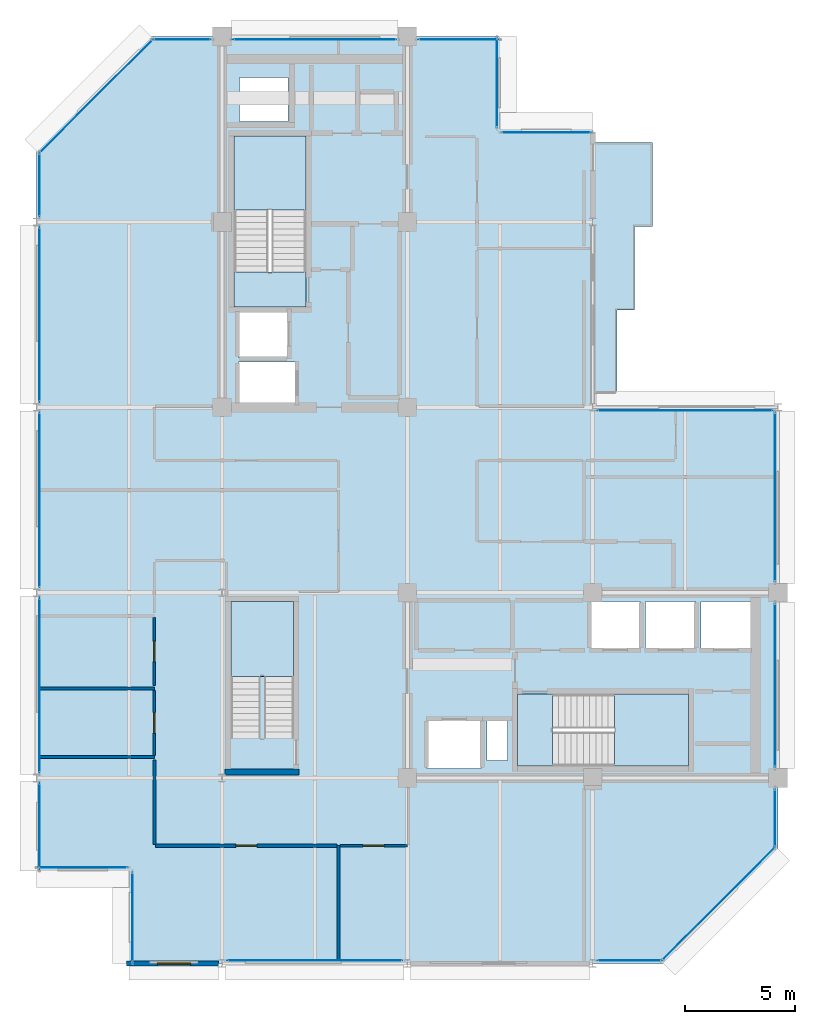
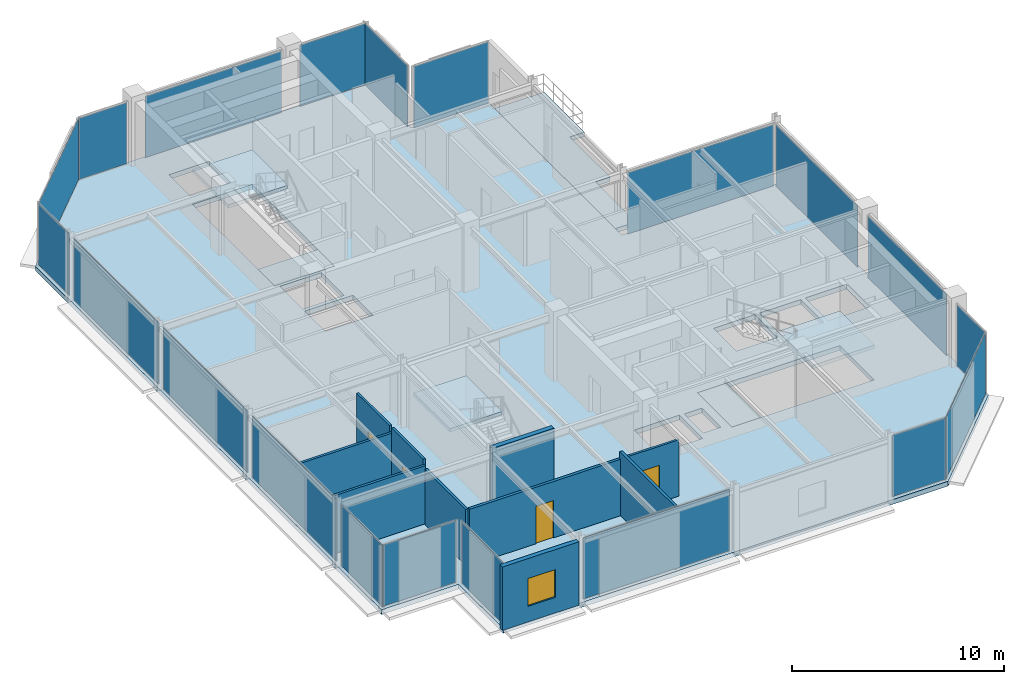
# One storey, part 19 of 25: 20 plates, 10 walls, 7 slabs, 4 doors, 1 window, 5 openings, 23 elements without a shape of their own.
"""IFC4 building model written with IfcOpenShell, lengths in metres."""

from ifc_helpers import new_model, si_unit, direction, frame, frame_2d, origin, origin_2d, place, context, subcontext, project, spatial, polyline, rectangle, outline, extrude, material, layer, layer_set, type_object, element, fill, aggregate, save


model = new_model("IFC4")

# Units and contexts
model_context = context("Model", 3, precision=1e-05, world=origin(), true_north=direction((0.0, 1.0)))
body_context = subcontext(model_context, "Body", "Model", "MODEL_VIEW")
ifc_project = project(units=[si_unit("LENGTHUNIT", "METRE"), si_unit("AREAUNIT", "SQUARE_METRE"), si_unit("VOLUMEUNIT", "CUBIC_METRE"), si_unit("PLANEANGLEUNIT", "RADIAN"), si_unit("MASSUNIT", "GRAM", prefix="KILO")], contexts=[model_context])

# Site, building, storey
site_placement = place(None, origin())
site = spatial("IfcSite", under=ifc_project, at=site_placement, CompositionType="ELEMENT")
building_placement = place(site_placement, origin())
building = spatial("IfcBuilding", under=site, at=building_placement, Name="Nerrivon Quay Data Exchange", CompositionType="ELEMENT")
storey_placement = place(building_placement, frame((0.0, 0.0, 318.199951171875)))
storey = spatial("IfcBuildingStorey", under=building, at=storey_placement, Name="L76", CompositionType="ELEMENT", Elevation=318.199951171875)

# Curtain wall, plate
ifc_material_1 = material(Name="Anodised aluminium 6063-T6", Category="aluminium")
ifc_layer_1 = layer(ifc_material_1, 0.195068359375)
ifc_layer_set_1 = layer_set([ifc_layer_1], Name="Anodised aluminium 6063-T6")
curtain_wall_type = type_object("IfcCurtainWallType", Name="CW-SYS-06", PredefinedType="NOTDEFINED", material=ifc_layer_set_1)
curtain_wall_1_placement = place(storey_placement, origin())
curtain_wall_1 = element("IfcCurtainWall", 1, at=curtain_wall_1_placement, inside=storey, type_object=curtain_wall_type, Name="L76 Unitised Curtain Wall 1", PredefinedType="NOTDEFINED")
ifc_material_2 = material(Name="Double-glazed low-E solar control glass", Category="glass")
ifc_layer_2 = layer(ifc_material_2, 0.028076171875)
ifc_layer_set_2 = layer_set([ifc_layer_2], Name="Double-glazed low-E solar control glass")
plate_type = type_object("IfcPlateType", Name="CWP-GLZ-28", PredefinedType="CURTAIN_PANEL", material=ifc_layer_set_2)
plate_1_placement = place(storey_placement, frame((30.90087890625, 2.698974609375, 0.06494140625), z_axis=(0.0, 0.0, 1.0), x_axis=(-0.707106781187, -0.707106781187, 0.0)))
plate_1 = element("IfcPlate", 2, at=plate_1_placement, type_object=plate_type, Name="CW06 panel 1.1", PredefinedType="CURTAIN_PANEL", context=body_context, shape_type="SweptSolid", body=[
    extrude(rectangle(XDim=7.203857421875, YDim=0.028076171875, at=origin_2d()), origin(), (0.0, 0.0, 1.0), 3.52001953125),
])
aggregate(curtain_wall_1, [plate_1])

curtain_wall_2_placement = place(storey_placement, origin())
curtain_wall_2 = element("IfcCurtainWall", 3, at=curtain_wall_2_placement, inside=storey, type_object=curtain_wall_type, Name="L76 Unitised Curtain Wall 2", PredefinedType="NOTDEFINED")
plate_2_placement = place(storey_placement, frame((26.877685546875, 0.139892578125, 0.06494140625), z_axis=(0.0, 0.0, 1.0), x_axis=(-1.0, 0.0, 0.0)))
plate_2 = element("IfcPlate", 4, at=plate_2_placement, type_object=plate_type, Name="CW06 panel 1.1", PredefinedType="CURTAIN_PANEL", context=body_context, shape_type="SweptSolid", body=[
    extrude(rectangle(XDim=2.89453125, YDim=0.028076171875, at=origin_2d()), origin(), (0.0, 0.0, 1.0), 3.52001953125),
])
aggregate(curtain_wall_2, [plate_2])

curtain_wall_3_placement = place(storey_placement, origin())
curtain_wall_3 = element("IfcCurtainWall", 5, at=curtain_wall_3_placement, inside=storey, type_object=curtain_wall_type, Name="L76 Unitised Curtain Wall 4", PredefinedType="NOTDEFINED")
plate_3_placement = place(storey_placement, frame((12.60009765625, 0.139892578125, 0.06494140625), z_axis=(0.0, 0.0, 1.0), x_axis=(-1.0, 0.0, 0.0)))
plate_3 = element("IfcPlate", 6, at=plate_3_placement, type_object=plate_type, Name="CW06 panel 1.1", PredefinedType="CURTAIN_PANEL", context=body_context, shape_type="SweptSolid", body=[
    extrude(rectangle(XDim=7.93896484375, YDim=0.028076171875, at=origin_2d()), origin(), (0.0, 0.0, 1.0), 3.52001953125),
])
aggregate(curtain_wall_3, [plate_3])

curtain_wall_4_placement = place(storey_placement, origin())
curtain_wall_4 = element("IfcCurtainWall", 7, at=curtain_wall_4_placement, inside=storey, type_object=curtain_wall_type, Name="L76 Unitised Curtain Wall 6", PredefinedType="NOTDEFINED")
plate_4_placement = place(storey_placement, frame((4.340087890625, 2.10009765625, 0.06494140625), z_axis=(0.0, 0.0, 1.0), x_axis=(0.0, 1.0, 0.0)))
plate_4 = element("IfcPlate", 8, at=plate_4_placement, type_object=plate_type, Name="CW06 panel 1.1", PredefinedType="CURTAIN_PANEL", context=body_context, shape_type="SweptSolid", body=[
    extrude(rectangle(XDim=4.050048828125, YDim=0.028076171875, at=origin_2d()), origin(), (0.0, 0.0, 1.0), 3.52001953125),
])
aggregate(curtain_wall_4, [plate_4])

curtain_wall_5_placement = place(storey_placement, origin())
curtain_wall_5 = element("IfcCurtainWall", 9, at=curtain_wall_5_placement, inside=storey, type_object=curtain_wall_type, Name="L76 Unitised Curtain Wall 7", PredefinedType="NOTDEFINED")
plate_5_placement = place(storey_placement, frame((2.10009765625, 4.340087890625, 0.06494140625), z_axis=(0.0, 0.0, 1.0), x_axis=(-1.0, 0.0, 0.0)))
plate_5 = element("IfcPlate", 10, at=plate_5_placement, type_object=plate_type, Name="CW06 panel 1.1", PredefinedType="CURTAIN_PANEL", context=body_context, shape_type="SweptSolid", body=[
    extrude(rectangle(XDim=4.050048828125, YDim=0.028076171875, at=origin_2d()), origin(), (0.0, 0.0, 1.0), 3.52001953125),
])
aggregate(curtain_wall_5, [plate_5])

curtain_wall_6_placement = place(storey_placement, origin())
curtain_wall_6 = element("IfcCurtainWall", 11, at=curtain_wall_6_placement, inside=storey, type_object=curtain_wall_type, Name="L76 Unitised Curtain Wall 8", PredefinedType="NOTDEFINED")
plate_6_placement = place(storey_placement, frame((0.139892578125, 6.21826171875, 0.06494140625), z_axis=(0.0, 0.0, 1.0), x_axis=(0.0, 1.0, 0.0)))
plate_6 = element("IfcPlate", 12, at=plate_6_placement, type_object=plate_type, Name="CW06 panel 1.1", PredefinedType="CURTAIN_PANEL", context=body_context, shape_type="SweptSolid", body=[
    extrude(rectangle(XDim=3.886474609375, YDim=0.028076171875, at=origin_2d()), origin(), (0.0, 0.0, 1.0), 3.52001953125),
])
aggregate(curtain_wall_6, [plate_6])

curtain_wall_7_placement = place(storey_placement, origin())
curtain_wall_7 = element("IfcCurtainWall", 13, at=curtain_wall_7_placement, inside=storey, type_object=curtain_wall_type, Name="L76 Unitised Curtain Wall 9", PredefinedType="NOTDEFINED")
plate_7_placement = place(storey_placement, frame((0.139892578125, 12.60009765625, 0.06494140625), z_axis=(0.0, 0.0, 1.0), x_axis=(0.0, 1.0, 0.0)))
plate_7 = element("IfcPlate", 14, at=plate_7_placement, type_object=plate_type, Name="CW06 panel 1.1", PredefinedType="CURTAIN_PANEL", context=body_context, shape_type="SweptSolid", body=[
    extrude(rectangle(XDim=7.923095703125, YDim=0.028076171875, at=origin_2d()), origin(), (0.0, 0.0, 1.0), 3.52001953125),
])
aggregate(curtain_wall_7, [plate_7])

curtain_wall_8_placement = place(storey_placement, origin())
curtain_wall_8 = element("IfcCurtainWall", 15, at=curtain_wall_8_placement, inside=storey, type_object=curtain_wall_type, Name="L76 Unitised Curtain Wall 10", PredefinedType="NOTDEFINED")
plate_8_placement = place(storey_placement, frame((0.139892578125, 21.0, 0.06494140625), z_axis=(0.0, 0.0, 1.0), x_axis=(0.0, 1.0, 0.0)))
plate_8 = element("IfcPlate", 16, at=plate_8_placement, type_object=plate_type, Name="CW06 panel 1.1", PredefinedType="CURTAIN_PANEL", context=body_context, shape_type="SweptSolid", body=[
    extrude(rectangle(XDim=7.923095703125, YDim=0.028076171875, at=origin_2d()), origin(), (0.0, 0.0, 1.0), 3.52001953125),
])
aggregate(curtain_wall_8, [plate_8])

curtain_wall_9_placement = place(storey_placement, origin())
curtain_wall_9 = element("IfcCurtainWall", 17, at=curtain_wall_9_placement, inside=storey, type_object=curtain_wall_type, Name="L76 Unitised Curtain Wall 11", PredefinedType="NOTDEFINED")
plate_9_placement = place(storey_placement, frame((0.139892578125, 29.39990234375, 0.06494140625), z_axis=(0.0, 0.0, 1.0), x_axis=(0.0, 1.0, 0.0)))
plate_9 = element("IfcPlate", 18, at=plate_9_placement, type_object=plate_type, Name="CW06 panel 1.1", PredefinedType="CURTAIN_PANEL", context=body_context, shape_type="SweptSolid", body=[
    extrude(rectangle(XDim=7.923095703125, YDim=0.028076171875, at=origin_2d()), origin(), (0.0, 0.0, 1.0), 3.52001953125),
])
aggregate(curtain_wall_9, [plate_9])

curtain_wall_10_placement = place(storey_placement, origin())
curtain_wall_10 = element("IfcCurtainWall", 19, at=curtain_wall_10_placement, inside=storey, type_object=curtain_wall_type, Name="L76 Unitised Curtain Wall 12", PredefinedType="NOTDEFINED")
plate_10_placement = place(storey_placement, frame((0.139892578125, 35.28173828125, 0.06494140625), z_axis=(0.0, 0.0, 1.0), x_axis=(0.0, 1.0, 0.0)))
plate_10 = element("IfcPlate", 20, at=plate_10_placement, type_object=plate_type, Name="CW06 panel 1.1", PredefinedType="CURTAIN_PANEL", context=body_context, shape_type="SweptSolid", body=[
    extrude(rectangle(XDim=2.886474609375, YDim=0.028076171875, at=origin_2d()), origin(), (0.0, 0.0, 1.0), 3.52001953125),
])
aggregate(curtain_wall_10, [plate_10])

curtain_wall_11_placement = place(storey_placement, origin())
curtain_wall_11 = element("IfcCurtainWall", 21, at=curtain_wall_11_placement, inside=storey, type_object=curtain_wall_type, Name="L76 Unitised Curtain Wall 13", PredefinedType="NOTDEFINED")
plate_11_placement = place(storey_placement, frame((2.698974609375, 39.301025390625, 0.06494140625), z_axis=(0.0, 0.0, 1.0), x_axis=(0.707106781187, 0.707106781187, 0.0)))
plate_11 = element("IfcPlate", 22, at=plate_11_placement, type_object=plate_type, Name="CW06 panel 1.1", PredefinedType="CURTAIN_PANEL", context=body_context, shape_type="SweptSolid", body=[
    extrude(rectangle(XDim=7.203857421875, YDim=0.028076171875, at=origin_2d()), origin(), (0.0, 0.0, 1.0), 3.52001953125),
])
aggregate(curtain_wall_11, [plate_11])

curtain_wall_12_placement = place(storey_placement, origin())
curtain_wall_12 = element("IfcCurtainWall", 23, at=curtain_wall_12_placement, inside=storey, type_object=curtain_wall_type, Name="L76 Unitised Curtain Wall 14", PredefinedType="NOTDEFINED")
plate_12_placement = place(storey_placement, frame((6.58740234375, 41.860107421875, 0.06494140625), z_axis=(0.0, 0.0, 1.0), x_axis=(1.0, 0.0, 0.0)))
plate_12 = element("IfcPlate", 24, at=plate_12_placement, type_object=plate_type, Name="CW06 panel 1.1", PredefinedType="CURTAIN_PANEL", context=body_context, shape_type="SweptSolid", body=[
    extrude(rectangle(XDim=2.625, YDim=0.028076171875, at=origin_2d()), origin(), (0.0, 0.0, 1.0), 3.52001953125),
])
aggregate(curtain_wall_12, [plate_12])

curtain_wall_13_placement = place(storey_placement, origin())
curtain_wall_13 = element("IfcCurtainWall", 25, at=curtain_wall_13_placement, inside=storey, type_object=curtain_wall_type, Name="L76 Unitised Curtain Wall 15", PredefinedType="NOTDEFINED")
plate_13_placement = place(storey_placement, frame((12.60009765625, 41.860107421875, 0.06494140625), z_axis=(0.0, 0.0, 1.0), x_axis=(1.0, 0.0, 0.0)))
plate_13 = element("IfcPlate", 26, at=plate_13_placement, type_object=plate_type, Name="CW06 panel 1.1", PredefinedType="CURTAIN_PANEL", context=body_context, shape_type="SweptSolid", body=[
    extrude(rectangle(XDim=7.39990234375, YDim=0.028076171875, at=origin_2d()), origin(), (0.0, 0.0, 1.0), 3.52001953125),
])
aggregate(curtain_wall_13, [plate_13])

curtain_wall_14_placement = place(storey_placement, origin())
curtain_wall_14 = element("IfcCurtainWall", 27, at=curtain_wall_14_placement, inside=storey, type_object=curtain_wall_type, Name="L76 Unitised Curtain Wall 16", PredefinedType="NOTDEFINED")
plate_14_placement = place(storey_placement, frame((19.112548828125, 41.860107421875, 0.06494140625), z_axis=(0.0, 0.0, 1.0), x_axis=(1.0, 0.0, 0.0)))
plate_14 = element("IfcPlate", 28, at=plate_14_placement, type_object=plate_type, Name="CW06 panel 1.1", PredefinedType="CURTAIN_PANEL", context=body_context, shape_type="SweptSolid", body=[
    extrude(rectangle(XDim=3.625, YDim=0.028076171875, at=origin_2d()), origin(), (0.0, 0.0, 1.0), 3.52001953125),
])
aggregate(curtain_wall_14, [plate_14])

curtain_wall_15_placement = place(storey_placement, origin())
curtain_wall_15 = element("IfcCurtainWall", 29, at=curtain_wall_15_placement, inside=storey, type_object=curtain_wall_type, Name="L76 Unitised Curtain Wall 17", PredefinedType="NOTDEFINED")
plate_15_placement = place(storey_placement, frame((20.860107421875, 39.89990234375, 0.06494140625), z_axis=(0.0, 0.0, 1.0), x_axis=(0.0, -1.0, 0.0)))
plate_15 = element("IfcPlate", 30, at=plate_15_placement, type_object=plate_type, Name="CW06 panel 1.1", PredefinedType="CURTAIN_PANEL", context=body_context, shape_type="SweptSolid", body=[
    extrude(rectangle(XDim=4.050048828125, YDim=0.028076171875, at=origin_2d()), origin(), (0.0, 0.0, 1.0), 3.52001953125),
])
aggregate(curtain_wall_15, [plate_15])

curtain_wall_16_placement = place(storey_placement, origin())
curtain_wall_16 = element("IfcCurtainWall", 31, at=curtain_wall_16_placement, inside=storey, type_object=curtain_wall_type, Name="L76 Unitised Curtain Wall 18", PredefinedType="NOTDEFINED")
plate_16_placement = place(storey_placement, frame((23.10009765625, 37.659912109375, 0.06494140625), z_axis=(0.0, 0.0, 1.0), x_axis=(1.0, 0.0, 0.0)))
plate_16 = element("IfcPlate", 32, at=plate_16_placement, type_object=plate_type, Name="CW06 panel 1.1", PredefinedType="CURTAIN_PANEL", context=body_context, shape_type="SweptSolid", body=[
    extrude(rectangle(XDim=4.050048828125, YDim=0.028076171875, at=origin_2d()), origin(), (0.0, 0.0, 1.0), 3.52001953125),
])
aggregate(curtain_wall_16, [plate_16])

curtain_wall_17_placement = place(storey_placement, origin())
curtain_wall_17 = element("IfcCurtainWall", 33, at=curtain_wall_17_placement, inside=storey, type_object=curtain_wall_type, Name="L76 Unitised Curtain Wall 21", PredefinedType="NOTDEFINED")
plate_17_placement = place(storey_placement, frame((29.39990234375, 25.06005859375, 0.06494140625), z_axis=(0.0, 0.0, 1.0), x_axis=(1.0, 0.0, 0.0)))
plate_17 = element("IfcPlate", 34, at=plate_17_placement, type_object=plate_type, Name="CW06 panel 1.1", PredefinedType="CURTAIN_PANEL", context=body_context, shape_type="SweptSolid", body=[
    extrude(rectangle(XDim=7.93896484375, YDim=0.028076171875, at=origin_2d()), origin(), (0.0, 0.0, 1.0), 3.52001953125),
])
aggregate(curtain_wall_17, [plate_17])

curtain_wall_18_placement = place(storey_placement, origin())
curtain_wall_18 = element("IfcCurtainWall", 35, at=curtain_wall_18_placement, inside=storey, type_object=curtain_wall_type, Name="L76 Unitised Curtain Wall 22", PredefinedType="NOTDEFINED")
plate_18_placement = place(storey_placement, frame((33.4599609375, 21.130859375, 0.06494140625), z_axis=(0.0, 0.0, 1.0), x_axis=(0.0, -1.0, 0.0)))
plate_18 = element("IfcPlate", 36, at=plate_18_placement, type_object=plate_type, Name="CW06 panel 1.1", PredefinedType="CURTAIN_PANEL", context=body_context, shape_type="SweptSolid", body=[
    extrude(rectangle(XDim=7.66162109375, YDim=0.028076171875, at=origin_2d()), origin(), (0.0, 0.0, 1.0), 3.52001953125),
])
aggregate(curtain_wall_18, [plate_18])

curtain_wall_19_placement = place(storey_placement, origin())
curtain_wall_19 = element("IfcCurtainWall", 37, at=curtain_wall_19_placement, inside=storey, type_object=curtain_wall_type, Name="L76 Unitised Curtain Wall 23", PredefinedType="NOTDEFINED")
plate_19_placement = place(storey_placement, frame((33.4599609375, 12.60009765625, 0.06494140625), z_axis=(0.0, 0.0, 1.0), x_axis=(0.0, -1.0, 0.0)))
plate_19 = element("IfcPlate", 38, at=plate_19_placement, type_object=plate_type, Name="CW06 panel 1.1", PredefinedType="CURTAIN_PANEL", context=body_context, shape_type="SweptSolid", body=[
    extrude(rectangle(XDim=7.39990234375, YDim=0.028076171875, at=origin_2d()), origin(), (0.0, 0.0, 1.0), 3.52001953125),
])
aggregate(curtain_wall_19, [plate_19])

curtain_wall_20_placement = place(storey_placement, origin())
curtain_wall_20 = element("IfcCurtainWall", 39, at=curtain_wall_20_placement, inside=storey, type_object=curtain_wall_type, Name="L76 Unitised Curtain Wall 24", PredefinedType="NOTDEFINED")
plate_20_placement = place(storey_placement, frame((33.4599609375, 6.58740234375, 0.06494140625), z_axis=(0.0, 0.0, 1.0), x_axis=(0.0, -1.0, 0.0)))
plate_20 = element("IfcPlate", 40, at=plate_20_placement, type_object=plate_type, Name="CW06 panel 1.1", PredefinedType="CURTAIN_PANEL", context=body_context, shape_type="SweptSolid", body=[
    extrude(rectangle(XDim=2.625, YDim=0.028076171875, at=origin_2d()), origin(), (0.0, 0.0, 1.0), 3.52001953125),
])
aggregate(curtain_wall_20, [plate_20])

# Slab
ifc_material_3 = material(Name="Precast white architectural concrete N50 (50 MPa)", Category="concrete")
ifc_layer_3 = layer(ifc_material_3, 0.25)
ifc_layer_set_3 = layer_set([ifc_layer_3], Name="Precast white architectural concrete N50 (50 MPa)")
slab_type_1 = type_object("IfcSlabType", Name="SLB-BAL-250", PredefinedType="FLOOR", material=ifc_layer_set_3)
slab_1_placement = place(storey_placement, frame((0.0, 0.0, -0.25)))
element("IfcSlab", 41, at=slab_1_placement, inside=storey, type_object=slab_type_1, Name="L76 Waterfront Subtropical Verandah", PredefinedType="FLOOR", context=body_context, shape_type="SweptSolid", body=[
    extrude(outline(polyline([(26.300048828125, 29.60009765625), (27.10009765625, 29.60009765625), (27.10009765625, 33.39990234375), (27.89990234375, 33.39990234375), (27.89990234375, 37.199951171875), (25.199951171875, 37.199951171875), (25.199951171875, 33.39990234375), (25.199951171875, 29.60009765625), (25.199951171875, 25.800048828125), (26.300048828125, 25.800048828125), (26.300048828125, 29.60009765625)])), origin(), (0.0, 0.0, 1.0), 0.25),
])

# Stair, slab
ifc_material_4 = material(Name="Concrete N50 (50 MPa)", Category="concrete")
stair_type = type_object("IfcStairType", Name="STAIR-DOG-40", PredefinedType="HALF_TURN_STAIR", material=ifc_material_4)
stair_1_placement = place(storey_placement, origin())
stair_1 = element("IfcStair", 42, at=stair_1_placement, inside=storey, type_object=stair_type, Name="L76 West Core Fire Stair ST01", PredefinedType="HALF_TURN_STAIR")
ifc_layer_4 = layer(ifc_material_4, 0.199951171875)
ifc_layer_set_4 = layer_set([ifc_layer_4], Name="Concrete N50 (50 MPa)")
slab_type_2 = type_object("IfcSlabType", Name="SLB-LAND-200", PredefinedType="LANDING", material=ifc_layer_set_4)
slab_2_placement = place(storey_placement, frame((0.0, 0.0, 1.800048828125)))
slab_2 = element("IfcSlab", 43, at=slab_2_placement, type_object=slab_type_2, Name="ST01 landing 1", PredefinedType="LANDING", context=body_context, shape_type="SweptSolid", body=[
    extrude(outline(polyline([(12.199951171875, 34.1298828125), (12.199951171875, 37.5), (8.949951171875, 37.5), (8.949951171875, 34.1298828125), (12.199951171875, 34.1298828125)])), origin(), (0.0, 0.0, 1.0), 0.199951171875),
])
aggregate(stair_1, [slab_2])

# Slab
slab_3_placement = place(storey_placement, frame((0.0, 0.0, -0.199951171875)))
element("IfcSlab", 44, at=slab_3_placement, inside=storey, type_object=slab_type_2, Name="L76 ST01 floor landing", PredefinedType="LANDING", context=body_context, shape_type="SweptSolid", body=[
    extrude(outline(polyline([(12.199951171875, 29.75), (12.199951171875, 31.330078125), (8.949951171875, 31.330078125), (8.949951171875, 29.75), (12.199951171875, 29.75)])), origin(), (0.0, 0.0, 1.0), 0.199951171875),
])

# Stair, slab
stair_2_placement = place(storey_placement, origin())
stair_2 = element("IfcStair", 45, at=stair_2_placement, inside=storey, type_object=stair_type, Name="L76 East Core Fire Stair ST02", PredefinedType="HALF_TURN_STAIR")
slab_4_placement = place(storey_placement, frame((0.0, 0.0, 1.800048828125)))
slab_4 = element("IfcSlab", 46, at=slab_4_placement, type_object=slab_type_2, Name="ST02 landing 1", PredefinedType="LANDING", context=body_context, shape_type="SweptSolid", body=[
    extrude(outline(polyline([(26.179931640625, 8.949951171875), (29.550048828125, 8.949951171875), (29.550048828125, 12.199951171875), (26.179931640625, 12.199951171875), (26.179931640625, 8.949951171875)])), origin(), (0.0, 0.0, 1.0), 0.199951171875),
])
aggregate(stair_2, [slab_4])

# Slab
slab_5_placement = place(storey_placement, frame((0.0, 0.0, -0.199951171875)))
element("IfcSlab", 47, at=slab_5_placement, inside=storey, type_object=slab_type_2, Name="L76 ST02 floor landing", PredefinedType="LANDING", context=body_context, shape_type="SweptSolid", body=[
    extrude(outline(polyline([(21.800048828125, 8.949951171875), (23.3798828125, 8.949951171875), (23.3798828125, 12.199951171875), (21.800048828125, 12.199951171875), (21.800048828125, 8.949951171875)])), origin(), (0.0, 0.0, 1.0), 0.199951171875),
])

# Stair, slab
stair_3_placement = place(storey_placement, origin())
stair_3 = element("IfcStair", 48, at=stair_3_placement, inside=storey, type_object=stair_type, Name="L76 Crown Maintenance Stair ST08", PredefinedType="HALF_TURN_STAIR")
slab_6_placement = place(storey_placement, frame((0.0, 0.0, 1.800048828125)))
slab_6 = element("IfcSlab", 49, at=slab_6_placement, type_object=slab_type_2, Name="ST08 landing 1", PredefinedType="LANDING", context=body_context, shape_type="SweptSolid", body=[
    extrude(outline(polyline([(11.64990234375, 13.0), (11.64990234375, 16.39990234375), (8.800048828125, 16.39990234375), (8.800048828125, 13.0), (11.64990234375, 13.0)])), origin(), (0.0, 0.0, 1.0), 0.199951171875),
])
aggregate(stair_3, [slab_6])

# Slab
ifc_layer_5 = layer(ifc_material_4, 0.27490234375)
ifc_layer_set_5 = layer_set([ifc_layer_5], Name="Concrete N50 (50 MPa)")
slab_type_3 = type_object("IfcSlabType", Name="SLB-TOW-275", PredefinedType="FLOOR", material=ifc_layer_set_5)
slab_7_placement = place(storey_placement, frame((0.0, 0.0, -0.27490234375)))
element("IfcSlab", 50, at=slab_7_placement, inside=storey, type_object=slab_type_3, Name="L76 Primary Structural Slab", PredefinedType="FLOOR", context=body_context, shape_type="SweptSolid", body=[
    extrude(outline(polyline([(33.60009765625, 25.199951171875), (25.199951171875, 25.199951171875), (25.199951171875, 37.800048828125), (21.0, 37.800048828125), (21.0, 42.0), (5.199951171875, 42.0), (0.0, 36.800048828125), (0.0, 4.199951171875), (4.199951171875, 4.199951171875), (4.199951171875, 0.0), (28.39990234375, 0.0), (33.60009765625, 5.199951171875), (33.60009765625, 25.199951171875)]), holes=[polyline([(8.949951171875, 29.75), (8.949951171875, 37.5), (12.199951171875, 37.5), (12.199951171875, 29.75), (8.949951171875, 29.75)]), polyline([(21.800048828125, 12.199951171875), (29.550048828125, 12.199951171875), (29.550048828125, 8.949951171875), (21.800048828125, 8.949951171875), (21.800048828125, 12.199951171875)]), polyline([(30.10009765625, 14.25), (30.10009765625, 16.39990234375), (32.35009765625, 16.39990234375), (32.35009765625, 14.25), (30.10009765625, 14.25)]), polyline([(27.60009765625, 14.25), (27.60009765625, 16.39990234375), (29.85009765625, 16.39990234375), (29.85009765625, 14.25), (27.60009765625, 14.25)]), polyline([(25.10009765625, 14.25), (25.10009765625, 16.39990234375), (27.35009765625, 16.39990234375), (27.35009765625, 14.25), (25.10009765625, 14.25)]), polyline([(20.39990234375, 9.199951171875), (20.39990234375, 11.0), (21.35009765625, 11.0), (21.35009765625, 9.199951171875), (20.39990234375, 9.199951171875)]), polyline([(17.699951171875, 8.830078125), (17.699951171875, 11.030029296875), (20.14990234375, 11.030029296875), (20.14990234375, 8.830078125), (17.699951171875, 8.830078125)]), polyline([(9.14990234375, 25.35009765625), (9.14990234375, 27.25), (11.75, 27.25), (11.75, 25.35009765625), (9.14990234375, 25.35009765625)]), polyline([(9.14990234375, 27.449951171875), (9.14990234375, 29.60009765625), (11.39990234375, 29.60009765625), (11.39990234375, 27.449951171875), (9.14990234375, 27.449951171875)]), polyline([(9.199951171875, 38.14990234375), (9.199951171875, 40.14990234375), (11.39990234375, 40.14990234375), (11.39990234375, 38.14990234375), (9.199951171875, 38.14990234375)])]), origin(), (0.0, 0.0, 1.0), 0.27490234375),
])

# Wall, opening, window
ifc_material_5 = material(Name="Architectural terracotta precast concrete N50 (50 MPa)", Category="masonry")
ifc_layer_6 = layer(ifc_material_5, 0.239990234375)
ifc_layer_set_6 = layer_set([ifc_layer_6], Name="Architectural terracotta precast concrete N50 (50 MPa)")
wall_type_1 = type_object("IfcWallType", Name="EW-PREC-240", PredefinedType="STANDARD", material=ifc_layer_set_6)
wall_1_placement = place(storey_placement, frame((8.244384765625, 0.0, 0.0), z_axis=(0.0, 0.0, 1.0), x_axis=(-1.0, 0.0, 0.0)))
wall_1 = element("IfcWall", 51, at=wall_1_placement, inside=storey, type_object=wall_type_1, Name="L76 Podium Precast Spandrel Wall 5", PredefinedType="STANDARD", context=body_context, shape_type="SweptSolid", body=[
    extrude(rectangle(XDim=4.164306640625, YDim=0.239990234375, at=frame_2d((2.08203125, 0.0))), origin(), (0.0, 0.0, 1.0), 3.650146484375),
])
opening_1_placement = place(wall_1_placement, frame((1.267333984375, 0.0, 0.89990234375)))
opening_1 = element("IfcOpeningElement", 52, at=opening_1_placement, cuts=wall_1, Name="Opening WN4", PredefinedType="OPENING", context=body_context, shape_type="SweptSolid", body=[
    extrude(rectangle(XDim=1.5, YDim=1.60009765625, at=frame_2d((0.75, 0.800048828125))), frame((0.0, 0.1298828125, 0.0), z_axis=(0.0, -1.0, 0.0), x_axis=(1.0, 0.0, 0.0)), (0.0, 0.0, 1.0), 0.260009765625),
])
window_type = type_object("IfcWindowType", Name="WIN-W4-1500x1600", PartitioningType="SINGLE_PANEL", PredefinedType="WINDOW", material=ifc_material_2)
window_placement = place(opening_1_placement, origin())
window = element("IfcWindow", 53, at=window_placement, inside=storey, type_object=window_type, Name="L76 Solar Facade Window 5", OverallHeight=1.60009765625, OverallWidth=1.5, PartitioningType="SINGLE_PANEL", PredefinedType="WINDOW", context=body_context, shape_type="SweptSolid", body=[
    extrude(rectangle(XDim=1.5, YDim=1.60009765625, at=frame_2d((0.75, 0.800048828125))), frame((0.0, 0.030029296875, 0.0), z_axis=(0.0, -1.0, 0.0), x_axis=(1.0, 0.0, 0.0)), (0.0, 0.0, 1.0), 0.06005859375),
])
fill(opening_1, window)

# Wall, opening, door
ifc_material_6 = material(Name="Gypsum plasterboard on cold-formed framing", Category="gypsum")
ifc_layer_7 = layer(ifc_material_6, 0.1201171875)
ifc_layer_set_7 = layer_set([ifc_layer_7], Name="Gypsum plasterboard on cold-formed framing")
wall_type_2 = type_object("IfcWallType", Name="WALL-PT-120", PredefinedType="PARTITIONING", material=ifc_layer_set_7)
wall_2_placement = place(storey_placement, frame((5.340087890625, 9.42138671875, 0.0), z_axis=(0.0, 0.0, 1.0), x_axis=(0.0, 1.0, 0.0)))
wall_2 = element("IfcWall", 54, at=wall_2_placement, inside=storey, type_object=wall_type_2, Name="L76 Partition Accessible Toilet", PredefinedType="PARTITIONING", context=body_context, shape_type="SweptSolid", body=[
    extrude(rectangle(XDim=2.95703125, YDim=0.1201171875, at=frame_2d((1.478515625, 0.0))), origin(), (0.0, 0.0, 1.0), 3.650146484375),
])
opening_2_placement = place(wall_2_placement, frame((1.0185546875, 0.0, 0.0)))
opening_2 = element("IfcOpeningElement", 55, at=opening_2_placement, cuts=wall_2, Name="Opening D-WC", PredefinedType="OPENING", context=body_context, shape_type="SweptSolid", body=[
    extrude(rectangle(XDim=0.919921875, YDim=2.10009765625, at=frame_2d((0.4599609375, 1.050048828125))), frame((0.0, 0.070068359375, 0.0), z_axis=(0.0, -1.0, 0.0), x_axis=(1.0, 0.0, 0.0)), (0.0, 0.0, 1.0), 0.14013671875),
])
ifc_material_7 = material(Name="Engineered hardwood timber", Category="wood")
door_type_1 = type_object("IfcDoorType", Name="DR-WC-920", OperationType="NOTDEFINED", PredefinedType="DOOR", material=ifc_material_7)
door_1_placement = place(opening_2_placement, origin())
door_1 = element("IfcDoor", 56, at=door_1_placement, inside=storey, type_object=door_type_1, Name="L76 Door Accessible Toilet", OperationType="SINGLE_SWING_LEFT", OverallHeight=2.10009765625, OverallWidth=0.919921875, PredefinedType="DOOR", context=body_context, shape_type="SweptSolid", body=[
    extrude(rectangle(XDim=0.919921875, YDim=2.10009765625, at=frame_2d((0.4599609375, 1.050048828125))), frame((0.0, 0.02490234375, 0.0), z_axis=(0.0, -1.0, 0.0), x_axis=(1.0, 0.0, 0.0)), (0.0, 0.0, 1.0), 0.050048828125),
])
fill(opening_2, door_1)

wall_3_placement = place(storey_placement, frame((5.340087890625, 12.60009765625, 0.0), z_axis=(0.0, 0.0, 1.0), x_axis=(0.0, 1.0, 0.0)))
wall_3 = element("IfcWall", 57, at=wall_3_placement, inside=storey, type_object=wall_type_2, Name="L76 Partition Public Washrooms", PredefinedType="PARTITIONING", context=body_context, shape_type="SweptSolid", body=[
    extrude(rectangle(XDim=3.078369140625, YDim=0.1201171875, at=frame_2d((1.5390625, 0.0))), origin(), (0.0, 0.0, 1.0), 3.650146484375),
])
opening_3_placement = place(wall_3_placement, frame((1.079345703125, 0.0, 0.0)))
opening_3 = element("IfcOpeningElement", 58, at=opening_3_placement, cuts=wall_3, Name="Opening D-WC", PredefinedType="OPENING", context=body_context, shape_type="SweptSolid", body=[
    extrude(rectangle(XDim=0.919921875, YDim=2.10009765625, at=frame_2d((0.4599609375, 1.050048828125))), frame((0.0, 0.070068359375, 0.0), z_axis=(0.0, -1.0, 0.0), x_axis=(1.0, 0.0, 0.0)), (0.0, 0.0, 1.0), 0.14013671875),
])
door_2_placement = place(opening_3_placement, origin())
door_2 = element("IfcDoor", 59, at=door_2_placement, inside=storey, type_object=door_type_1, Name="L76 Door Public Washrooms", OperationType="SINGLE_SWING_RIGHT", OverallHeight=2.10009765625, OverallWidth=0.919921875, PredefinedType="DOOR", context=body_context, shape_type="SweptSolid", body=[
    extrude(rectangle(XDim=0.919921875, YDim=2.10009765625, at=frame_2d((0.4599609375, 1.050048828125))), frame((0.0, 0.02490234375, 0.0), z_axis=(0.0, -1.0, 0.0), x_axis=(1.0, 0.0, 0.0)), (0.0, 0.0, 1.0), 0.050048828125),
])
fill(opening_3, door_2)

wall_4_placement = place(storey_placement, frame((16.800048828125, 5.340087890625, 0.0), z_axis=(0.0, 0.0, 1.0), x_axis=(-1.0, 0.0, 0.0)))
wall_4 = element("IfcWall", 60, at=wall_4_placement, inside=storey, type_object=wall_type_2, Name="L76 Partition Cloud Compute Workspace 1", PredefinedType="PARTITIONING", context=body_context, shape_type="SweptSolid", body=[
    extrude(rectangle(XDim=3.0458984375, YDim=0.1201171875, at=frame_2d((1.52294921875, 0.0))), origin(), (0.0, 0.0, 1.0), 3.244140625),
])
opening_4_placement = place(wall_4_placement, frame((1.0478515625, 0.0, 0.0)))
opening_4 = element("IfcOpeningElement", 61, at=opening_4_placement, cuts=wall_4, Name="Opening D-01", PredefinedType="OPENING", context=body_context, shape_type="SweptSolid", body=[
    extrude(rectangle(XDim=0.949951171875, YDim=2.14990234375, at=frame_2d((0.47509765625, 1.074951171875))), frame((0.0, 0.070068359375, 0.0), z_axis=(0.0, -1.0, 0.0), x_axis=(1.0, 0.0, 0.0)), (0.0, 0.0, 1.0), 0.14013671875),
])
door_type_2 = type_object("IfcDoorType", Name="DR-INT-950", OperationType="NOTDEFINED", PredefinedType="DOOR", material=ifc_material_7)
door_3_placement = place(opening_4_placement, origin())
door_3 = element("IfcDoor", 62, at=door_3_placement, inside=storey, type_object=door_type_2, Name="L76 Door Cloud Compute Workspace 1", OperationType="SINGLE_SWING_LEFT", OverallHeight=2.14990234375, OverallWidth=0.949951171875, PredefinedType="DOOR", context=body_context, shape_type="SweptSolid", body=[
    extrude(rectangle(XDim=0.949951171875, YDim=2.14990234375, at=frame_2d((0.47509765625, 1.074951171875))), frame((0.0, 0.02490234375, 0.0), z_axis=(0.0, -1.0, 0.0), x_axis=(1.0, 0.0, 0.0)), (0.0, 0.0, 1.0), 0.050048828125),
])
fill(opening_4, door_3)

# Walls
ifc_layer_8 = layer(ifc_material_6, 0.135009765625)
ifc_layer_set_8 = layer_set([ifc_layer_8], Name="Gypsum plasterboard on cold-formed framing")
wall_type_3 = type_object("IfcWallType", Name="WALL-PT-135", PredefinedType="PARTITIONING", material=ifc_layer_set_8)
for number, where, z_axis, x_axis, name in (
    (63, (5.340087890625, 12.449951171875, 0.0), (0.0, 0.0, 1.0), (-1.0, 0.0, 0.0), "L76 Partition Accessible Toilet"),
    (64, (0.1689453125, 9.35009765625, 0.0), (0.0, 0.0, 1.0), (1.0, 0.0, 0.0), "L76 Partition Accessible Toilet"),
):
    element("IfcWall", number, at=place(storey_placement, frame(where, z_axis=z_axis, x_axis=x_axis)), inside=storey, type_object=wall_type_3, Name=name, PredefinedType="PARTITIONING", context=body_context, shape_type="SweptSolid", body=[
        extrude(rectangle(XDim=5.171142578125, YDim=0.135009765625, at=frame_2d((2.58544921875, 0.0))), origin(), (0.0, 0.0, 1.0), 3.345947265625),
    ])
wall_5_placement = place(storey_placement, frame((13.6826171875, 0.1689453125, 0.0), z_axis=(0.0, 0.0, 1.0), x_axis=(0.0, 1.0, 0.0)))
element("IfcWall", 65, at=wall_5_placement, inside=storey, type_object=wall_type_3, Name="L76 Partition Technical Library", PredefinedType="PARTITIONING", context=body_context, shape_type="SweptSolid", body=[
    extrude(rectangle(XDim=5.171142578125, YDim=0.135009765625, at=frame_2d((2.58544921875, 0.0))), origin(), (0.0, 0.0, 1.0), 3.650146484375),
])
wall_6_placement = place(storey_placement, frame((5.340087890625, 5.39990234375, 0.0), z_axis=(0.0, 0.0, 1.0), x_axis=(0.0, 1.0, 0.0)))
element("IfcWall", 66, at=wall_6_placement, inside=storey, type_object=wall_type_3, Name="L76 Partition Technical Library", PredefinedType="PARTITIONING", context=body_context, shape_type="SweptSolid", body=[
    extrude(rectangle(XDim=3.830078125, YDim=0.135009765625, at=frame_2d((1.9150390625, 0.0))), origin(), (0.0, 0.0, 1.0), 3.196044921875),
])

# Wall, opening, door
ifc_layer_9 = layer(ifc_material_6, 0.14990234375)
ifc_layer_set_9 = layer_set([ifc_layer_9], Name="Gypsum plasterboard on cold-formed framing")
wall_type_4 = type_object("IfcWallType", Name="WALL-PT-150", PredefinedType="PARTITIONING", material=ifc_layer_set_9)
wall_7_placement = place(storey_placement, frame((13.611083984375, 5.340087890625, 0.0), z_axis=(0.0, 0.0, 1.0), x_axis=(-1.0, 0.0, 0.0)))
wall_7 = element("IfcWall", 67, at=wall_7_placement, inside=storey, type_object=wall_type_4, Name="L76 Partition Technical Library", PredefinedType="PARTITIONING", context=body_context, shape_type="SweptSolid", body=[
    extrude(rectangle(XDim=8.211181640625, YDim=0.14990234375, at=frame_2d((4.10546875, 0.0))), origin(), (0.0, 0.0, 1.0), 3.244140625),
])
opening_5_placement = place(wall_7_placement, frame((3.630615234375, 0.0, 0.0)))
opening_5 = element("IfcOpeningElement", 68, at=opening_5_placement, cuts=wall_7, Name="Opening D-01", PredefinedType="OPENING", context=body_context, shape_type="SweptSolid", body=[
    extrude(rectangle(XDim=0.949951171875, YDim=2.14990234375, at=frame_2d((0.47509765625, 1.074951171875))), frame((0.0, 0.0849609375, 0.0), z_axis=(0.0, -1.0, 0.0), x_axis=(1.0, 0.0, 0.0)), (0.0, 0.0, 1.0), 0.169921875),
])
door_4_placement = place(opening_5_placement, origin())
door_4 = element("IfcDoor", 69, at=door_4_placement, inside=storey, type_object=door_type_2, Name="L76 Door Technical Library", OperationType="SINGLE_SWING_RIGHT", OverallHeight=2.14990234375, OverallWidth=0.949951171875, PredefinedType="DOOR", context=body_context, shape_type="SweptSolid", body=[
    extrude(rectangle(XDim=0.949951171875, YDim=2.14990234375, at=frame_2d((0.47509765625, 1.074951171875))), frame((0.0, 0.02490234375, 0.0), z_axis=(0.0, -1.0, 0.0), x_axis=(1.0, 0.0, 0.0)), (0.0, 0.0, 1.0), 0.050048828125),
])
fill(opening_5, door_4)

# Wall
ifc_layer_10 = layer(ifc_material_4, 0.25)
ifc_layer_set_10 = layer_set([ifc_layer_10], Name="Concrete N50 (50 MPa)")
wall_type_5 = type_object("IfcWallType", Name="WALL-SW-250", PredefinedType="SHEAR", material=ifc_layer_set_10)
wall_8_placement = place(storey_placement, frame((11.89990234375, 8.675048828125, -0.27490234375), z_axis=(0.0, 0.0, 1.0), x_axis=(-1.0, 0.0, 0.0)))
element("IfcWall", 70, at=wall_8_placement, inside=storey, type_object=wall_type_5, Name="L76 ST08 Structural Stair Core Wall NEAR", PredefinedType="SHEAR", context=body_context, shape_type="SweptSolid", body=[
    extrude(rectangle(XDim=3.349853515625, YDim=0.25, at=frame_2d((1.6748046875, 0.0))), origin(), (0.0, 0.0, 1.0), 3.925048828125),
])

save(model, "model.ifc")
